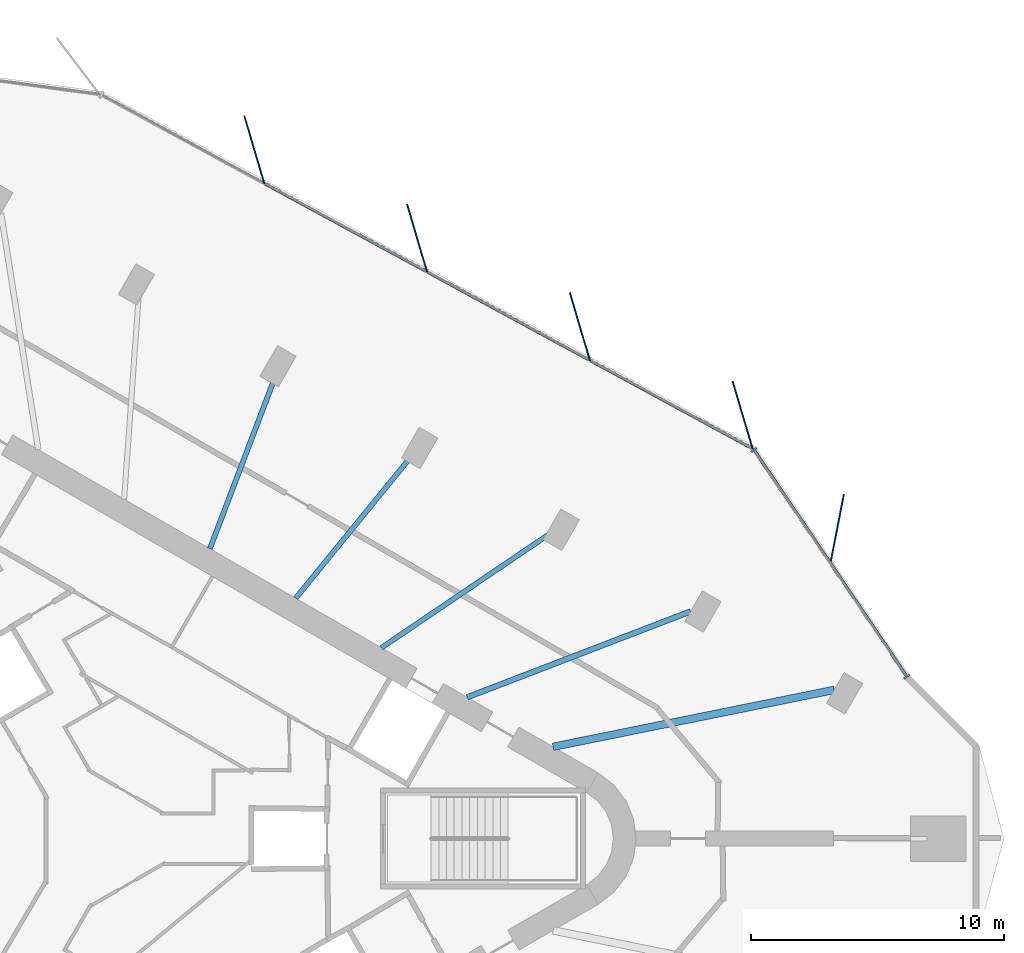
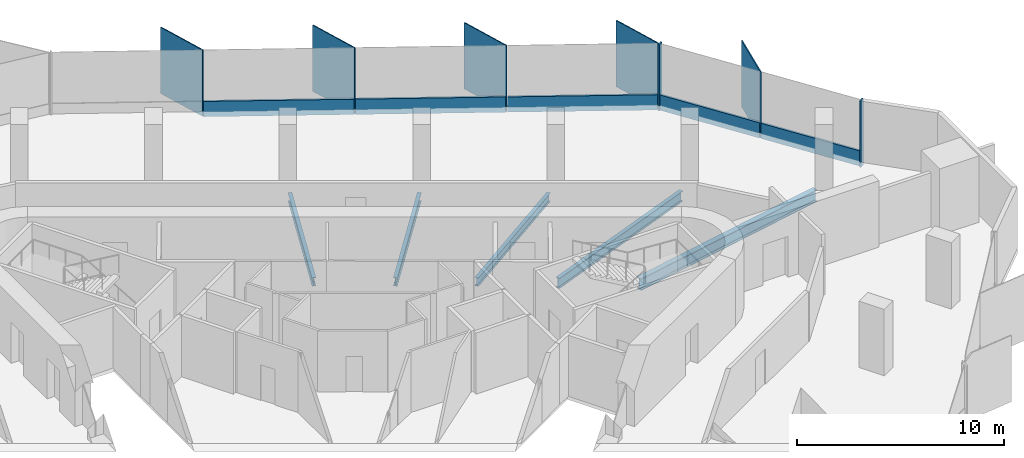
# One storey, part 5 of 12: 12 members, 5 beams, 2 elements without a shape of their own.
"""IFC4 building model written with IfcOpenShell, lengths in metres."""

from ifc_helpers import new_model, si_unit, direction, frame, origin, origin_2d, place, context, subcontext, project, spatial, rectangle, i_section, extrude, material, material_profile, profile_set, type_object, element, aggregate, save


model = new_model("IFC4")

# Units and contexts
model_context = context("Model", 3, precision=1e-05, world=origin(), true_north=direction((0.0, 1.0)))
body_context = subcontext(model_context, "Body", "Model", "MODEL_VIEW")
ifc_project = project(units=[si_unit("LENGTHUNIT", "METRE"), si_unit("AREAUNIT", "SQUARE_METRE"), si_unit("VOLUMEUNIT", "CUBIC_METRE"), si_unit("PLANEANGLEUNIT", "RADIAN"), si_unit("MASSUNIT", "GRAM", prefix="KILO")], contexts=[model_context])

# Site, building, storey
site_placement = place(None, origin())
site = spatial("IfcSite", under=ifc_project, at=site_placement, CompositionType="ELEMENT")
building_placement = place(site_placement, origin())
building = spatial("IfcBuilding", under=site, at=building_placement, Name="Tanit Gate Tower", CompositionType="ELEMENT")
storey_placement = place(building_placement, frame((0.0, 0.0, 345.5)))
storey = spatial("IfcBuildingStorey", under=building, at=storey_placement, Name="L78", CompositionType="ELEMENT", Elevation=345.5)

# Curtain wall, member
ifc_material_1 = material(Name="Aluminium bronze anodised and glass", Category="aluminium")
curtain_wall_type = type_object("IfcCurtainWallType", Name="Curtain wall typical high", PredefinedType="NOTDEFINED", material=ifc_material_1)
curtain_wall_1_placement = place(storey_placement, origin())
curtain_wall_1 = element("IfcCurtainWall", 1, at=curtain_wall_1_placement, inside=storey, type_object=curtain_wall_type, Name="Curtain wall L78 NE1", PredefinedType="NOTDEFINED")
ifc_material_2 = material(Name="Aluminium bronze anodised", Category="aluminium")
ifc_material_profile_1 = material_profile(ifc_material_2, rectangle(XDim=2.800048828125, YDim=0.055908203125, at=origin_2d()), Name="56x2800 bronze fin mullion")
ifc_profile_set_1 = profile_set([ifc_material_profile_1], Name="Aluminium bronze anodised")
member_type_1 = type_object("IfcMemberType", Name="FIN MULLION 56x2800 bronze", PredefinedType="MULLION", material=ifc_profile_set_1)
member_1_placement = place(storey_placement, frame((29.1435546875, 12.238525390625, -0.300048828125), z_axis=(0.0, 0.0, 1.0), x_axis=(-0.190862727033, -0.981616737545, 0.0)))
member_1 = element("IfcMember", 2, at=member_1_placement, type_object=member_type_1, Name="Fin mullion L78 NE1.2", PredefinedType="MULLION", context=body_context, shape_type="SweptSolid", body=[
    extrude(rectangle(XDim=2.800048828125, YDim=0.055908203125, at=origin_2d()), origin(), (0.0, 0.0, 1.0), 3.900146484375),
])

# Curtain wall, members
curtain_wall_2_placement = place(storey_placement, origin())
curtain_wall_2 = element("IfcCurtainWall", 3, at=curtain_wall_2_placement, inside=storey, type_object=curtain_wall_type, Name="Curtain wall L78 NE2", PredefinedType="NOTDEFINED")
member_2_placement = place(storey_placement, frame((25.409423828125, 16.739501953125, -0.300048828125), z_axis=(0.0, 0.0, 1.0), x_axis=(0.28377270479, -0.958891574692, 0.0)))
member_2 = element("IfcMember", 4, at=member_2_placement, type_object=member_type_1, Name="Fin mullion L78 NE2.1", PredefinedType="MULLION", context=body_context, shape_type="SweptSolid", body=[
    extrude(rectangle(XDim=2.800048828125, YDim=0.055908203125, at=origin_2d()), origin(), (0.0, 0.0, 1.0), 3.900146484375),
])
member_3_placement = place(storey_placement, frame((18.9765625, 20.234375, -0.300048828125), z_axis=(0.0, 0.0, 1.0), x_axis=(0.28377270479, -0.958891574692, 0.0)))
member_3 = element("IfcMember", 5, at=member_3_placement, type_object=member_type_1, Name="Fin mullion L78 NE2.2", PredefinedType="MULLION", context=body_context, shape_type="SweptSolid", body=[
    extrude(rectangle(XDim=2.800048828125, YDim=0.055908203125, at=origin_2d()), origin(), (0.0, 0.0, 1.0), 3.900146484375),
])
member_4_placement = place(storey_placement, frame((12.543701171875, 23.729248046875, -0.300048828125), z_axis=(0.0, 0.0, 1.0), x_axis=(0.28377270479, -0.958891574692, 0.0)))
member_4 = element("IfcMember", 6, at=member_4_placement, type_object=member_type_1, Name="Fin mullion L78 NE2.3", PredefinedType="MULLION", context=body_context, shape_type="SweptSolid", body=[
    extrude(rectangle(XDim=2.800048828125, YDim=0.055908203125, at=origin_2d()), origin(), (0.0, 0.0, 1.0), 3.900146484375),
])
member_5_placement = place(storey_placement, frame((6.11083984375, 27.22412109375, -0.300048828125), z_axis=(0.0, 0.0, 1.0), x_axis=(0.28377270479, -0.958891574692, 0.0)))
member_5 = element("IfcMember", 7, at=member_5_placement, type_object=member_type_1, Name="Fin mullion L78 NE2.4", PredefinedType="MULLION", context=body_context, shape_type="SweptSolid", body=[
    extrude(rectangle(XDim=2.800048828125, YDim=0.055908203125, at=origin_2d()), origin(), (0.0, 0.0, 1.0), 3.900146484375),
])

# Member
ifc_material_3 = material(Name="Aluminium bronze anodised", Category="aluminium")
ifc_material_profile_2 = material_profile(ifc_material_3, rectangle(XDim=0.280029296875, YDim=0.080078125, at=origin_2d()), Name="80x280 bronze mullion")
ifc_profile_set_2 = profile_set([ifc_material_profile_2], Name="Aluminium bronze anodised")
member_type_2 = type_object("IfcMemberType", Name="Mullion 80x280 typical high", PredefinedType="MULLION", material=ifc_profile_set_2)
member_6_placement = place(storey_placement, frame((31.90185546875, 6.4033203125, -0.300048828125), z_axis=(0.0, 0.0, 1.0), x_axis=(-0.829068180206, -0.559147523084, 0.0)))
member_6 = element("IfcMember", 8, at=member_6_placement, type_object=member_type_2, Name="Mullion L78 NE1.1", PredefinedType="MULLION", context=body_context, shape_type="SweptSolid", body=[
    extrude(rectangle(XDim=0.280029296875, YDim=0.080078125, at=origin_2d()), origin(), (0.0, 0.0, 1.0), 3.900146484375),
])

member_7_placement = place(storey_placement, frame((25.858642578125, 15.36376953125, -0.300048828125), z_axis=(0.0, 0.0, 1.0), x_axis=(-0.829068180206, -0.559147523084, 0.0)))
member_7 = element("IfcMember", 9, at=member_7_placement, type_object=member_type_2, Name="Mullion L78 NE1.3", PredefinedType="MULLION", context=body_context, shape_type="SweptSolid", body=[
    extrude(rectangle(XDim=0.280029296875, YDim=0.080078125, at=origin_2d()), origin(), (0.0, 0.0, 1.0), 3.900146484375),
])

# Beams
ifc_material_4 = material(Name="Steel S355", Category="steel")
ifc_material_profile_3 = material_profile(ifc_material_4, i_section(OverallWidth=0.300048828125, OverallDepth=0.68994140625, WebThickness=0.014404296875, FlangeThickness=0.027099609375, FilletRadius=0.027099609375, at=origin_2d()), Name="HEA 700")
ifc_profile_set_3 = profile_set([ifc_material_profile_3], Name="Steel S355")
beam_type_1 = type_object("IfcBeamType", Name="RADIAL GIRDER HEA 700 S355", PredefinedType="BEAM", material=ifc_profile_set_3)
beam_1_placement = place(storey_placement, frame((29.02587890625, 5.876953125, -0.64501953125), z_axis=(-0.980109678628, -0.198456589357, 0.0), x_axis=(0.198456589357, -0.980109678628, 0.0)))
element("IfcBeam", 10, at=beam_1_placement, inside=storey, type_object=beam_type_1, Name="RADIAL GIRDER", PredefinedType="BEAM", context=body_context, shape_type="SweptSolid", body=[
    extrude(i_section(OverallWidth=0.300048828125, OverallDepth=0.68994140625, WebThickness=0.014404296875, FlangeThickness=0.027099609375, FilletRadius=0.027099609375, at=origin_2d()), origin(), (0.0, 0.0, 1.0), 11.331298828125),
])
ifc_material_5 = material(Name="Steel S355", Category="steel")
ifc_material_profile_4 = material_profile(ifc_material_5, i_section(OverallWidth=0.199951171875, OverallDepth=0.5, WebThickness=0.01025390625, FlangeThickness=0.01611328125, FilletRadius=0.02099609375, at=origin_2d()), Name="IPE 500")
ifc_profile_set_4 = profile_set([ifc_material_profile_4], Name="Steel S355")
beam_type_2 = type_object("IfcBeamType", Name="RADIAL GIRDER IPE 500 S355", PredefinedType="BEAM", material=ifc_profile_set_4)
beam_2_placement = place(storey_placement, frame((17.741455078125, 12.016845703125, -0.550048828125), z_axis=(-0.827954450749, -0.560795352589, 0.0), x_axis=(0.560795352589, -0.827954450749, 0.0)))
element("IfcBeam", 11, at=beam_2_placement, inside=storey, type_object=beam_type_2, Name="RADIAL GIRDER", PredefinedType="BEAM", context=body_context, shape_type="SweptSolid", body=[
    extrude(i_section(OverallWidth=0.199951171875, OverallDepth=0.5, WebThickness=0.01025390625, FlangeThickness=0.01611328125, FilletRadius=0.02099609375, at=origin_2d()), origin(), (0.0, 0.0, 1.0), 7.97607421875),
])
for number, where, z_axis, x_axis, name in (
    (12, (12.339599609375, 15.135498046875, -0.550048828125), (-0.631881514108, -0.775064998648, 0.0), (0.775064998648, -0.631881514108, 0.0), "RADIAL GIRDER"),
    (13, (6.93798828125, 18.25439453125, -0.550048828125), (-0.355282914481, -0.934758819524, 0.0), (0.934758819524, -0.355282914481, 0.0), "RADIAL GIRDER"),
):
    element("IfcBeam", number, at=place(storey_placement, frame(where, z_axis=z_axis, x_axis=x_axis)), inside=storey, type_object=beam_type_2, Name=name, PredefinedType="BEAM", context=body_context, shape_type="SweptSolid", body=[
        extrude(i_section(OverallWidth=0.199951171875, OverallDepth=0.5, WebThickness=0.01025390625, FlangeThickness=0.01611328125, FilletRadius=0.02099609375, at=origin_2d()), origin(), (0.0, 0.0, 1.0), 7.268798828125),
    ])
ifc_material_6 = material(Name="Steel S355", Category="steel")
ifc_material_profile_5 = material_profile(ifc_material_6, i_section(OverallWidth=0.219970703125, OverallDepth=0.60009765625, WebThickness=0.011962890625, FlangeThickness=0.01904296875, FilletRadius=0.02392578125, at=origin_2d()), Name="IPE 600")
ifc_profile_set_5 = profile_set([ifc_material_profile_5], Name="Steel S355")
beam_type_3 = type_object("IfcBeamType", Name="RADIAL GIRDER IPE 600 S355", PredefinedType="BEAM", material=ifc_profile_set_5)
beam_3_placement = place(storey_placement, frame((23.352783203125, 8.978759765625, -0.60009765625), z_axis=(-0.933390193585, -0.358863130622, 0.0), x_axis=(0.358863130622, -0.933390193585, 0.0)))
element("IfcBeam", 14, at=beam_3_placement, inside=storey, type_object=beam_type_3, Name="RADIAL GIRDER", PredefinedType="BEAM", context=body_context, shape_type="SweptSolid", body=[
    extrude(i_section(OverallWidth=0.219970703125, OverallDepth=0.60009765625, WebThickness=0.011962890625, FlangeThickness=0.01904296875, FilletRadius=0.02392578125, at=origin_2d()), origin(), (0.0, 0.0, 1.0), 9.45361328125),
])

# Member
ifc_material_7 = material(Name="Aluminium bronze anodised", Category="aluminium")
ifc_material_profile_6 = material_profile(ifc_material_7, rectangle(XDim=0.1201171875, YDim=0.89990234375, at=origin_2d()), Name="120x900 bronze transom")
ifc_profile_set_6 = profile_set([ifc_material_profile_6], Name="Aluminium bronze anodised")
member_type_3 = type_object("IfcMemberType", Name="Transom 120x900 typical high", PredefinedType="USERDEFINED", material=ifc_profile_set_6)
member_8_placement = place(storey_placement, frame((31.87939453125, 6.4365234375, 0.14990234375), z_axis=(-0.559147532642, 0.829068173759, 0.0), x_axis=(-0.829068173759, -0.559147532642, 0.0)))
member_8 = element("IfcMember", 15, at=member_8_placement, type_object=member_type_3, Name="Transom L78 NE1.1", ObjectType="TRANSOM", PredefinedType="USERDEFINED", context=body_context, shape_type="SweptSolid", body=[
    extrude(rectangle(XDim=0.1201171875, YDim=0.89990234375, at=origin_2d()), origin(), (0.0, 0.0, 1.0), 5.32373046875),
])

member_9_placement = place(storey_placement, frame((28.85791015625, 10.916748046875, 0.14990234375), z_axis=(-0.559157794187, 0.829061252985, 0.0), x_axis=(-0.829061252985, -0.559157794187, 0.0)))
member_9 = element("IfcMember", 16, at=member_9_placement, type_object=member_type_3, Name="Transom L78 NE1.2", ObjectType="TRANSOM", PredefinedType="USERDEFINED", context=body_context, shape_type="SweptSolid", body=[
    extrude(rectangle(XDim=0.1201171875, YDim=0.89990234375, at=origin_2d()), origin(), (0.0, 0.0, 1.0), 5.32421875),
])

aggregate(curtain_wall_1, [member_6, member_1, member_7, member_8, member_9])

member_10_placement = place(storey_placement, frame((25.765869140625, 15.435302734375, 0.14990234375), z_axis=(-0.878703531798, 0.477367890841, 0.0), x_axis=(-0.477367890841, -0.878703531798, 0.0)))
member_10 = element("IfcMember", 17, at=member_10_placement, type_object=member_type_3, Name="Transom L78 NE2.1", ObjectType="TRANSOM", PredefinedType="USERDEFINED", context=body_context, shape_type="SweptSolid", body=[
    extrude(rectangle(XDim=0.1201171875, YDim=0.89990234375, at=origin_2d()), origin(), (0.0, 0.0, 1.0), 7.24072265625),
])

member_11_placement = place(storey_placement, frame((19.3330078125, 18.93017578125, 0.14990234375), z_axis=(-0.878703531798, 0.477367890841, 0.0), x_axis=(-0.477367890841, -0.878703531798, 0.0)))
member_11 = element("IfcMember", 18, at=member_11_placement, type_object=member_type_3, Name="Transom L78 NE2.2", ObjectType="TRANSOM", PredefinedType="USERDEFINED", context=body_context, shape_type="SweptSolid", body=[
    extrude(rectangle(XDim=0.1201171875, YDim=0.89990234375, at=origin_2d()), origin(), (0.0, 0.0, 1.0), 7.24072265625),
])

member_12_placement = place(storey_placement, frame((12.900146484375, 22.4248046875, 0.14990234375), z_axis=(-0.878689388466, 0.477393923921, 0.0), x_axis=(-0.477393923921, -0.878689388466, 0.0)))
member_12 = element("IfcMember", 19, at=member_12_placement, type_object=member_type_3, Name="Transom L78 NE2.3", ObjectType="TRANSOM", PredefinedType="USERDEFINED", context=body_context, shape_type="SweptSolid", body=[
    extrude(rectangle(XDim=0.1201171875, YDim=0.89990234375, at=origin_2d()), origin(), (0.0, 0.0, 1.0), 7.240966796875),
])

aggregate(curtain_wall_2, [member_2, member_3, member_4, member_5, member_10, member_11, member_12])

save(model, "model.ifc")
